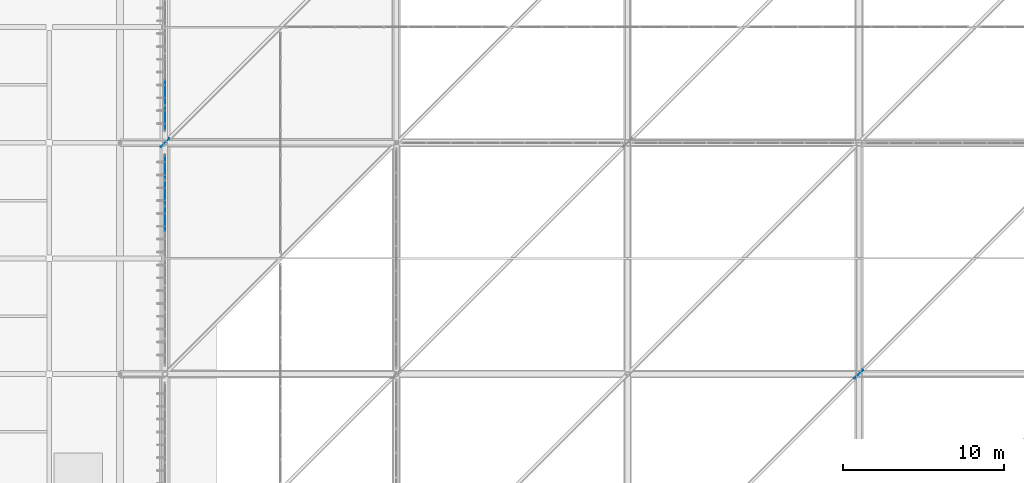
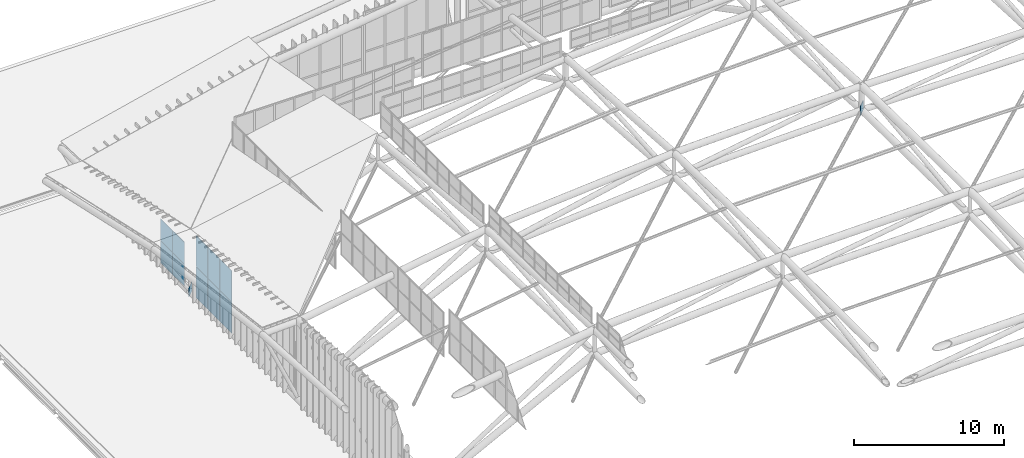
# One storey, part 374 of 397: 12 plates, 2 elements without a shape of their own.
"""IFC4 building model written with IfcOpenShell, lengths in metres."""

from ifc_helpers import new_model, si_unit, direction, frame, origin, origin_2d, place, context, subcontext, project, spatial, rectangle, extrude, material, layer, layer_set, type_object, element, aggregate, save


model = new_model("IFC4")

# Units and contexts
model_context = context("Model", 3, precision=1e-05, world=origin(), true_north=direction((0.0, 1.0)))
body_context = subcontext(model_context, "Body", "Model", "MODEL_VIEW")
ifc_project = project(units=[si_unit("LENGTHUNIT", "METRE"), si_unit("AREAUNIT", "SQUARE_METRE"), si_unit("VOLUMEUNIT", "CUBIC_METRE"), si_unit("PLANEANGLEUNIT", "RADIAN"), si_unit("MASSUNIT", "GRAM", prefix="KILO")], contexts=[model_context])

# Site, building, storey
site_placement = place(None, origin())
site = spatial("IfcSite", under=ifc_project, at=site_placement, CompositionType="ELEMENT")
building_placement = place(site_placement, origin())
building = spatial("IfcBuilding", under=site, at=building_placement, Name="Qandorah Velis Arena", CompositionType="ELEMENT")
storey_placement = place(building_placement, frame((0.0, 0.0, 27.5)))
storey = spatial("IfcBuildingStorey", under=building, at=storey_placement, Name="RF", CompositionType="ELEMENT", Elevation=27.5)

# Curtain wall, plates
ifc_material_1 = material(Name="Solar-control low-E double glazing", Category="glass")
curtain_wall_type = type_object("IfcCurtainWallType", Name="ARC-CW-SYS07", PredefinedType="USERDEFINED", material=ifc_material_1)
curtain_wall_1_placement = place(storey_placement, origin())
curtain_wall_1 = element("IfcCurtainWall", 1, at=curtain_wall_1_placement, inside=storey, type_object=curtain_wall_type, Name="Unitised curtain wall CROWN-1-06S2", ObjectType="UNITISED CURTAIN WALL", PredefinedType="USERDEFINED")
ifc_layer_1 = layer(ifc_material_1, 0.035888671875)
ifc_layer_set_1 = layer_set([ifc_layer_1], Name="Solar-control low-E double glazing")
plate_type_1 = type_object("IfcPlateType", Name="ARC-CWP-GLZ36", PredefinedType="CURTAIN_PANEL", material=ifc_layer_set_1)
plate_1_placement = place(storey_placement, frame((14.39990234375, 96.05322265625, 0.0498046875), z_axis=(0.0, 0.0, 1.0), x_axis=(0.0, 1.0, 0.0)))
plate_1 = element("IfcPlate", 2, at=plate_1_placement, type_object=plate_type_1, Name="CW07 panel 2.1", PredefinedType="CURTAIN_PANEL", context=body_context, shape_type="SweptSolid", body=[
    extrude(rectangle(XDim=1.56884765625, YDim=0.035888671875, at=origin_2d()), origin(), (0.0, 0.0, 1.0), 2.505615234375),
])
plate_2_placement = place(storey_placement, frame((14.39990234375, 96.05322265625, 2.595703125), z_axis=(0.0, 0.0, 1.0), x_axis=(0.0, 1.0, 0.0)))
plate_2 = element("IfcPlate", 3, at=plate_2_placement, type_object=plate_type_1, Name="CW07 panel 2.2", PredefinedType="CURTAIN_PANEL", context=body_context, shape_type="SweptSolid", body=[
    extrude(rectangle(XDim=1.56884765625, YDim=0.035888671875, at=origin_2d()), origin(), (0.0, 0.0, 1.0), 2.505615234375),
])
plate_3_placement = place(storey_placement, frame((14.39990234375, 97.661865234375, 0.0498046875), z_axis=(0.0, 0.0, 1.0), x_axis=(0.0, 1.0, 0.0)))
plate_3 = element("IfcPlate", 4, at=plate_3_placement, type_object=plate_type_1, Name="CW07 panel 3.1", PredefinedType="CURTAIN_PANEL", context=body_context, shape_type="SweptSolid", body=[
    extrude(rectangle(XDim=1.56884765625, YDim=0.035888671875, at=origin_2d()), origin(), (0.0, 0.0, 1.0), 2.505615234375),
])
plate_4_placement = place(storey_placement, frame((14.39990234375, 97.661865234375, 2.595703125), z_axis=(0.0, 0.0, 1.0), x_axis=(0.0, 1.0, 0.0)))
plate_4 = element("IfcPlate", 5, at=plate_4_placement, type_object=plate_type_1, Name="CW07 panel 3.2", PredefinedType="CURTAIN_PANEL", context=body_context, shape_type="SweptSolid", body=[
    extrude(rectangle(XDim=1.56884765625, YDim=0.035888671875, at=origin_2d()), origin(), (0.0, 0.0, 1.0), 2.505615234375),
])
plate_5_placement = place(storey_placement, frame((14.39990234375, 99.255615234375, 0.0498046875), z_axis=(0.0, 0.0, 1.0), x_axis=(0.0, 1.0, 0.0)))
plate_5 = element("IfcPlate", 6, at=plate_5_placement, type_object=plate_type_1, Name="CW07 panel 4.1", PredefinedType="CURTAIN_PANEL", context=body_context, shape_type="SweptSolid", body=[
    extrude(rectangle(XDim=1.538818359375, YDim=0.035888671875, at=origin_2d()), origin(), (0.0, 0.0, 1.0), 2.505615234375),
])
plate_6_placement = place(storey_placement, frame((14.39990234375, 99.255615234375, 2.595703125), z_axis=(0.0, 0.0, 1.0), x_axis=(0.0, 1.0, 0.0)))
plate_6 = element("IfcPlate", 7, at=plate_6_placement, type_object=plate_type_1, Name="CW07 panel 4.2", PredefinedType="CURTAIN_PANEL", context=body_context, shape_type="SweptSolid", body=[
    extrude(rectangle(XDim=1.538818359375, YDim=0.035888671875, at=origin_2d()), origin(), (0.0, 0.0, 1.0), 2.505615234375),
])
aggregate(curtain_wall_1, [plate_1, plate_2, plate_3, plate_4, plate_5, plate_6])

curtain_wall_2_placement = place(storey_placement, origin())
curtain_wall_2 = element("IfcCurtainWall", 8, at=curtain_wall_2_placement, inside=storey, type_object=curtain_wall_type, Name="Unitised curtain wall CROWN-1-07S1", ObjectType="UNITISED CURTAIN WALL", PredefinedType="USERDEFINED")
plate_7_placement = place(storey_placement, frame((14.39990234375, 102.344482421875, 0.050048828125), z_axis=(0.0, 0.0, 1.0), x_axis=(0.0, 1.0, 0.0)))
plate_7 = element("IfcPlate", 9, at=plate_7_placement, type_object=plate_type_1, Name="CW07 panel 1.1", PredefinedType="CURTAIN_PANEL", context=body_context, shape_type="SweptSolid", body=[
    extrude(rectangle(XDim=1.538818359375, YDim=0.035888671875, at=origin_2d()), origin(), (0.0, 0.0, 1.0), 1.76025390625),
])
plate_8_placement = place(storey_placement, frame((14.39990234375, 102.344482421875, 1.850341796875), z_axis=(0.0, 0.0, 1.0), x_axis=(0.0, 1.0, 0.0)))
plate_8 = element("IfcPlate", 10, at=plate_8_placement, type_object=plate_type_1, Name="CW07 panel 1.2", PredefinedType="CURTAIN_PANEL", context=body_context, shape_type="SweptSolid", body=[
    extrude(rectangle(XDim=1.538818359375, YDim=0.035888671875, at=origin_2d()), origin(), (0.0, 0.0, 1.0), 1.76025390625),
])
plate_9_placement = place(storey_placement, frame((14.39990234375, 103.938232421875, 0.050048828125), z_axis=(0.0, 0.0, 1.0), x_axis=(0.0, 1.0, 0.0)))
plate_9 = element("IfcPlate", 11, at=plate_9_placement, type_object=plate_type_1, Name="CW07 panel 2.1", PredefinedType="CURTAIN_PANEL", context=body_context, shape_type="SweptSolid", body=[
    extrude(rectangle(XDim=1.568603515625, YDim=0.035888671875, at=origin_2d()), origin(), (0.0, 0.0, 1.0), 1.76025390625),
])
plate_10_placement = place(storey_placement, frame((14.39990234375, 103.938232421875, 1.850341796875), z_axis=(0.0, 0.0, 1.0), x_axis=(0.0, 1.0, 0.0)))
plate_10 = element("IfcPlate", 12, at=plate_10_placement, type_object=plate_type_1, Name="CW07 panel 2.2", PredefinedType="CURTAIN_PANEL", context=body_context, shape_type="SweptSolid", body=[
    extrude(rectangle(XDim=1.568603515625, YDim=0.035888671875, at=origin_2d()), origin(), (0.0, 0.0, 1.0), 1.76025390625),
])
aggregate(curtain_wall_2, [plate_7, plate_8, plate_9, plate_10])

# Plates
ifc_material_2 = material(Name="Steel S355", Category="steel")
ifc_layer_2 = layer(ifc_material_2, 0.02001953125)
ifc_layer_set_2 = layer_set([ifc_layer_2], Name="Steel S355")
plate_type_2 = type_object("IfcPlateType", Name="STR-PLT-GUS20", PredefinedType="SHEET", material=ifc_layer_set_2)
plate_11_placement = place(storey_placement, frame((14.39990234375, 100.800048828125, -0.125), z_axis=(0.0, 0.0, 1.0), x_axis=(0.707106781187, 0.707106781187, 0.0)))
element("IfcPlate", 13, at=plate_11_placement, inside=storey, type_object=plate_type_2, Name="Space frame gusset plate 0.6", PredefinedType="SHEET", context=body_context, shape_type="SweptSolid", body=[
    extrude(rectangle(XDim=0.75, YDim=0.02001953125, at=origin_2d()), origin(), (0.0, 0.0, 1.0), 0.75),
])
ifc_layer_3 = layer(ifc_material_2, 0.0400390625)
ifc_layer_set_3 = layer_set([ifc_layer_3], Name="Steel S355")
plate_type_3 = type_object("IfcPlateType", Name="STR-PLT-GUS40", PredefinedType="SHEET", material=ifc_layer_set_3)
plate_12_placement = place(storey_placement, frame((57.60009765625, 86.39990234375, 8.198486328125), z_axis=(0.0, 0.0, 1.0), x_axis=(0.707106781187, 0.707106781187, 0.0)))
element("IfcPlate", 14, at=plate_12_placement, inside=storey, type_object=plate_type_3, Name="Space frame gusset plate 3.5", PredefinedType="SHEET", context=body_context, shape_type="SweptSolid", body=[
    extrude(rectangle(XDim=0.75, YDim=0.0400390625, at=origin_2d()), origin(), (0.0, 0.0, 1.0), 0.75),
])

save(model, "model.ifc")
